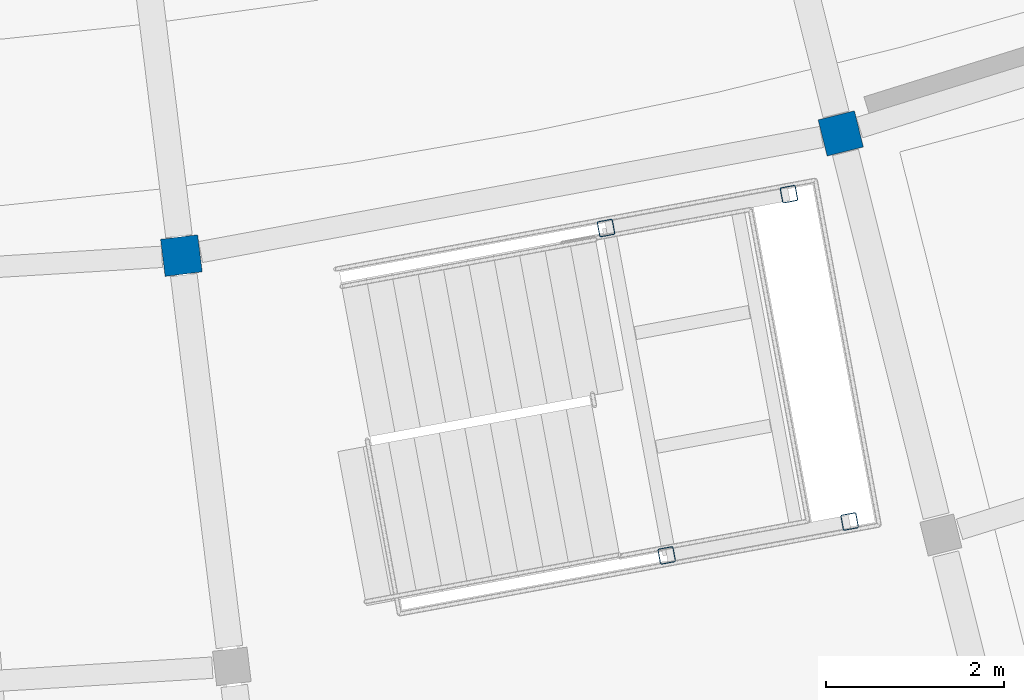
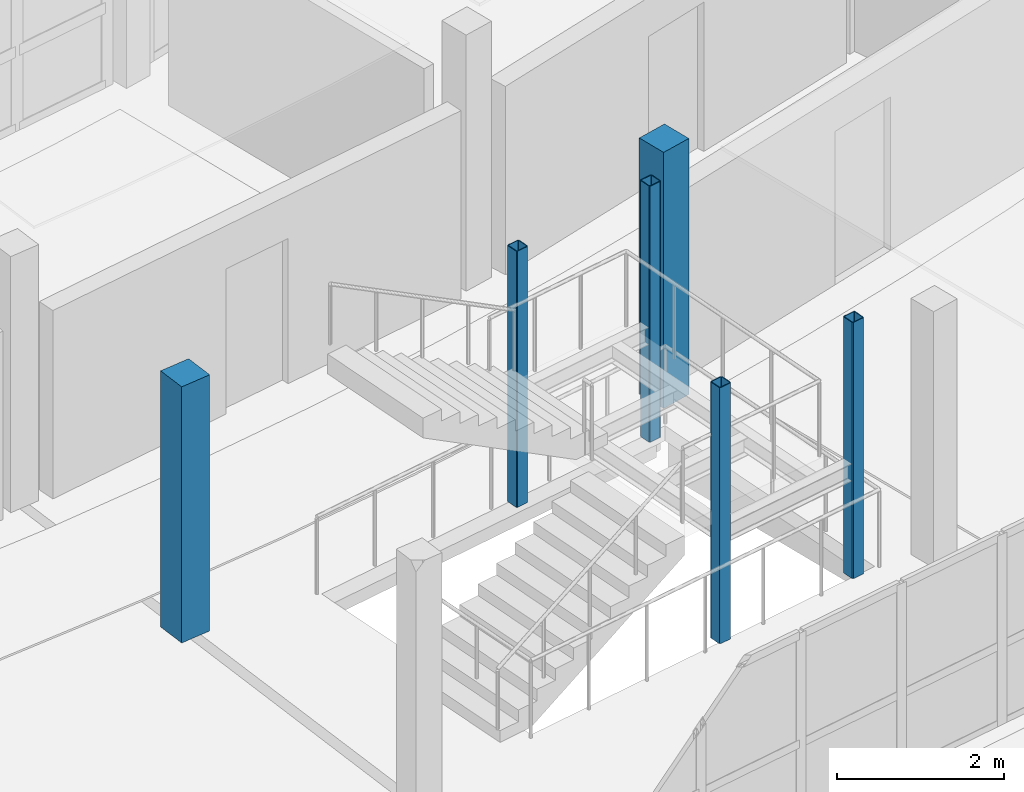
# One storey, part 9 of 77: 6 columns.
"""IFC4 building model written with IfcOpenShell, lengths in metres."""

from ifc_helpers import new_model, si_unit, direction, frame, origin, origin_2d, place, context, subcontext, project, spatial, rectangle, hollow_rectangle, extrude, material, material_profile, profile_set, type_object, element, save


model = new_model("IFC4")

# Units and contexts
model_context = context("Model", 3, precision=1e-05, world=origin(), true_north=direction((0.0, 1.0)))
body_context = subcontext(model_context, "Body", "Model", "MODEL_VIEW")
ifc_project = project(units=[si_unit("LENGTHUNIT", "METRE"), si_unit("AREAUNIT", "SQUARE_METRE"), si_unit("VOLUMEUNIT", "CUBIC_METRE"), si_unit("PLANEANGLEUNIT", "RADIAN"), si_unit("MASSUNIT", "GRAM", prefix="KILO")], contexts=[model_context])

# Site, building, storey
site_placement = place(None, origin())
site = spatial("IfcSite", under=ifc_project, at=site_placement, CompositionType="ELEMENT")
building_placement = place(site_placement, origin())
building = spatial("IfcBuilding", under=site, at=building_placement, Name="Caldaven Crescent School", CompositionType="ELEMENT")
storey_placement = place(building_placement, frame((0.0, 0.0, 4.419921875)))
storey = spatial("IfcBuildingStorey", under=building, at=storey_placement, Name="L01", CompositionType="ELEMENT", Elevation=4.419921875)

# Columns
ifc_material_1 = material(Name="Glulam MLE24h (GL28h)", Category="wood")
ifc_material_profile_1 = material_profile(ifc_material_1, rectangle(XDim=0.419921875, YDim=0.419921875, at=origin_2d()), Name="MLE 420x420")
ifc_profile_set_1 = profile_set([ifc_material_profile_1], Name="Glulam MLE24h (GL28h)")
column_type_1 = type_object("IfcColumnType", Name="COL-GL42", PredefinedType="COLUMN", material=ifc_profile_set_1)
for number, where, z_axis, x_axis, name in (
    (1, (95.519287109375, 34.760009765625, 0.0), (0.0, 0.0, 1.0), (0.121869343405, -0.992546151641, 0.0), "COL-V5-L01-04-2"),
    (2, (102.926513671875, 36.1328125, 0.0), (0.0, 0.0, 1.0), (0.2419218956, -0.970295726276, 0.0), "COL-V5-L01-05-2"),
):
    element("IfcColumn", number, at=place(storey_placement, frame(where, z_axis=z_axis, x_axis=x_axis)), inside=storey, type_object=column_type_1, Name=name, PredefinedType="COLUMN", context=body_context, shape_type="SweptSolid", body=[
        extrude(rectangle(XDim=0.419921875, YDim=0.419921875, at=origin_2d()), origin(), (0.0, 0.0, 1.0), 3.739990234375),
    ])
ifc_material_2 = material(Name="Steel ASTM A572 Grade 50", Category="steel")
ifc_material_profile_2 = material_profile(ifc_material_2, hollow_rectangle(XDim=0.179931640625, YDim=0.179931640625, WallThickness=0.010009765625, InnerFilletRadius=0.010009765625, OuterFilletRadius=0.02001953125, at=origin_2d()), Name="HSS 180x180x10")
ifc_profile_set_2 = profile_set([ifc_material_profile_2], Name="Steel ASTM A572 Grade 50")
column_type_2 = type_object("IfcColumnType", Name="COL-HS18", PredefinedType="COLUMN", material=ifc_profile_set_2)
for number, where, z_axis, x_axis, name in (
    (3, (100.97119140625, 31.391845703125, 0.0), (0.0, 0.0, 1.0), (0.983254907564, 0.182235525492, 0.0), "COL-STPOST-ST3-L01-A"),
    (4, (100.28955078125, 35.0693359375, 0.0), (0.0, 0.0, 1.0), (0.983254907564, 0.182235525492, 0.0), "COL-STPOST-ST3-L01-B"),
    (5, (103.026123046875, 31.772705078125, 0.0), (0.0, 0.0, 1.0), (0.983254907564, 0.182235525492, 0.0), "COL-STPOST-ST3-L01-C"),
    (6, (102.344482421875, 35.4501953125, 0.0), (0.0, 0.0, 1.0), (0.983254907564, 0.182235525492, 0.0), "COL-STPOST-ST3-L01-D"),
):
    element("IfcColumn", number, at=place(storey_placement, frame(where, z_axis=z_axis, x_axis=x_axis)), inside=storey, type_object=column_type_2, Name=name, PredefinedType="COLUMN", context=body_context, shape_type="SweptSolid", body=[
        extrude(hollow_rectangle(XDim=0.179931640625, YDim=0.179931640625, WallThickness=0.010009765625, InnerFilletRadius=0.010009765625, OuterFilletRadius=0.02001953125, at=origin_2d()), origin(), (0.0, 0.0, 1.0), 3.739990234375),
    ])

save(model, "model.ifc")
